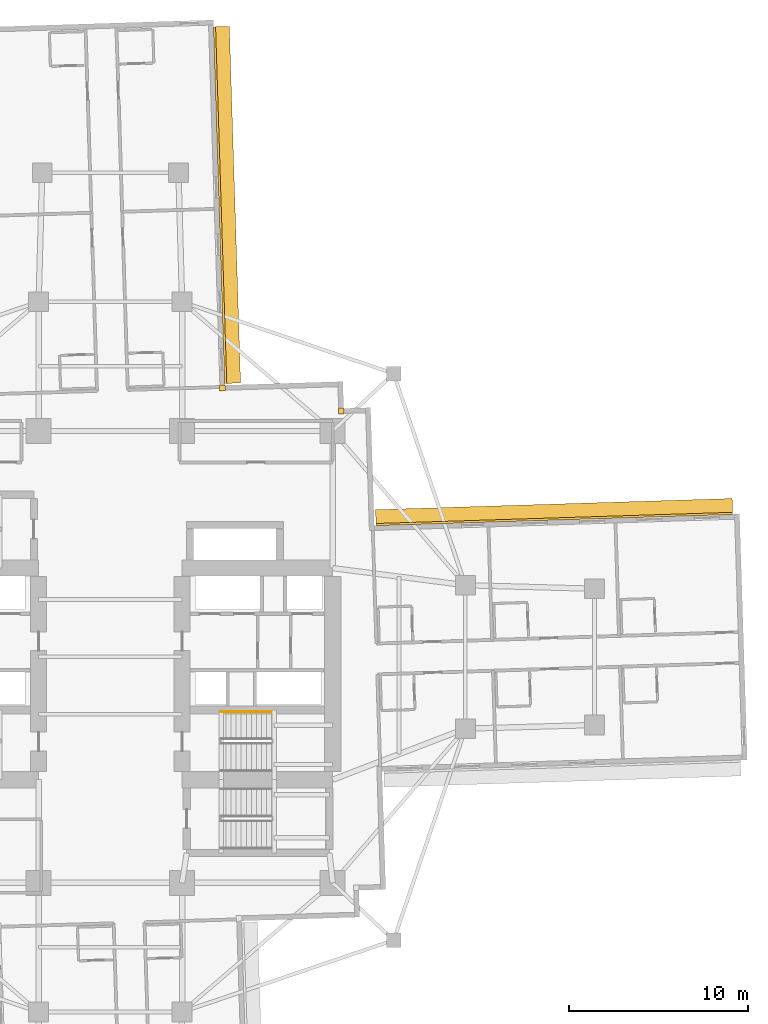
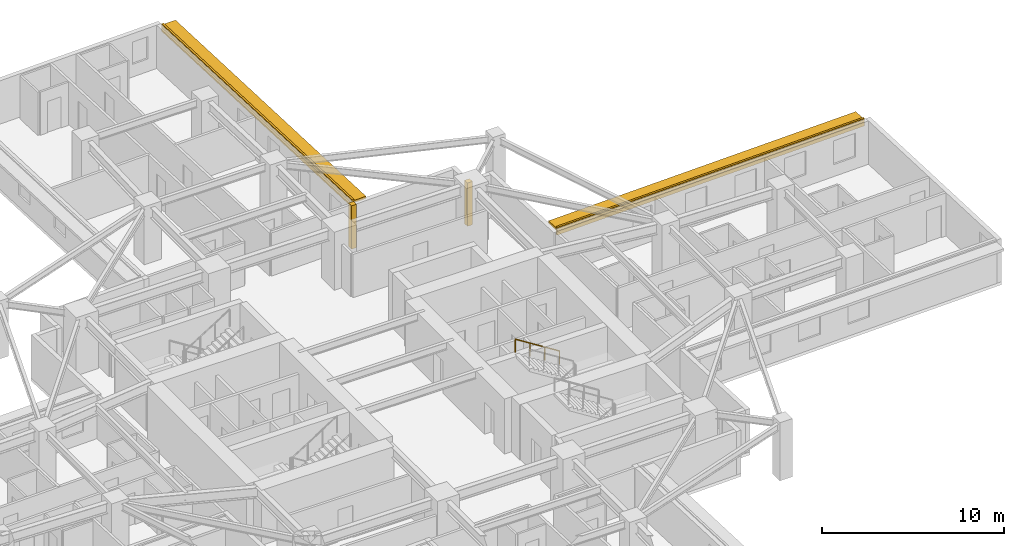
# One storey, part 14 of 14: 4 coverings, 2 shading devices, 1 railing.
"""IFC4 building model written with IfcOpenShell, lengths in metres."""

from ifc_helpers import new_model, si_unit, direction, frame, origin, origin_2d, place, context, subcontext, project, spatial, rectangle, circle, extrude, material, layer, layer_set, type_object, element, save


model = new_model("IFC4")

# Units and contexts
model_context = context("Model", 3, precision=1e-05, world=origin(), true_north=direction((0.0, 1.0)))
body_context = subcontext(model_context, "Body", "Model", "MODEL_VIEW")
ifc_project = project(units=[si_unit("LENGTHUNIT", "METRE"), si_unit("AREAUNIT", "SQUARE_METRE"), si_unit("VOLUMEUNIT", "CUBIC_METRE"), si_unit("PLANEANGLEUNIT", "RADIAN"), si_unit("MASSUNIT", "GRAM", prefix="KILO")], contexts=[model_context])

# Site, building, storey
site_placement = place(None, origin())
site = spatial("IfcSite", under=ifc_project, at=site_placement, CompositionType="ELEMENT")
building_placement = place(site_placement, origin())
building = spatial("IfcBuilding", under=site, at=building_placement, Name="Qingluan Cross Belvedere", CompositionType="ELEMENT")
storey_placement = place(building_placement, frame((0.0, 0.0, 56.10009765625)))
storey = spatial("IfcBuildingStorey", under=building, at=storey_placement, Name="L14", CompositionType="ELEMENT", Elevation=56.10009765625)

# Coverings
ifc_material_1 = material(Name="Precast concrete C45", Category="concrete")
ifc_layer_1 = layer(ifc_material_1, 0.1201171875, Name="ConcreteSpandrelCladding_120")
ifc_layer_set_1 = layer_set([ifc_layer_1], Name="Precast concrete C45")
covering_type = type_object("IfcCoveringType", Name="ConcreteSpandrelCladding_120", PredefinedType="CLADDING", material=ifc_layer_set_1)
for number, where, z_axis, x_axis, name in (
    (1, (24.760498046875, 7.691650390625, 2.449951171875), (0.0, 0.0, 1.0), (-0.999506649124, -0.031407934627, 0.0), "Spandrel cladding L14-EB"),
    (2, (6.12158203125, 25.194580078125, 2.449951171875), (0.0, 0.0, 1.0), (-0.031407934627, 0.999506649124, 0.0), "Spandrel cladding L14-NA"),
):
    element("IfcCovering", number, at=place(storey_placement, frame(where, z_axis=z_axis, x_axis=x_axis)), inside=storey, type_object=covering_type, Name=name, PredefinedType="CLADDING", context=body_context, shape_type="SweptSolid", body=[
        extrude(rectangle(XDim=19.89990234375, YDim=0.1201171875, at=origin_2d()), origin(), (0.0, 0.0, 1.0), 0.52001953125),
    ])
for number, where, z_axis, x_axis, name in (
    (3, (12.875732421875, 13.711181640625, 0.0), (0.0, 0.0, 1.0), (0.999506560366, 0.031410759078, 0.0), "Corner closure L14-NE1"),
    (4, (6.251708984375, 15.00390625, 0.0), (0.0, 0.0, 1.0), (0.999506560366, 0.031410759078, 0.0), "Corner closure L14-NE2"),
):
    element("IfcCovering", number, at=place(storey_placement, frame(where, z_axis=z_axis, x_axis=x_axis)), inside=storey, type_object=covering_type, Name=name, PredefinedType="CLADDING", context=body_context, shape_type="SweptSolid", body=[
        extrude(rectangle(XDim=0.320068359375, YDim=0.320068359375, at=origin_2d()), origin(), (0.0, 0.0, 1.0), 2.909912109375),
    ])

# Shading devices
ifc_material_2 = material(Name="Precast concrete C45", Category="concrete")
ifc_layer_2 = layer(ifc_material_2, 0.159912109375, Name="ConcreteSunshadeBand_900")
ifc_layer_set_2 = layer_set([ifc_layer_2], Name="Precast concrete C45")
shading_device_type = type_object("IfcShadingDeviceType", Name="ConcreteSunshadeBand_900", PredefinedType="USERDEFINED", material=ifc_layer_set_2)
for number, where, z_axis, x_axis, name in (
    (5, (24.74853515625, 8.0712890625, 2.72998046875), (0.0, 0.0, 1.0), (-0.999506649124, -0.031407934627, 0.0), "Concrete SUNSHADE L14-EB"),
    (6, (6.50146484375, 25.206787109375, 2.72998046875), (0.0, 0.0, 1.0), (-0.031407934627, 0.999506649124, 0.0), "Concrete SUNSHADE L14-NA"),
):
    element("IfcShadingDevice", number, at=place(storey_placement, frame(where, z_axis=z_axis, x_axis=x_axis)), inside=storey, type_object=shading_device_type, Name=name, ObjectType="SUNSHADE", PredefinedType="USERDEFINED", context=body_context, shape_type="SweptSolid", body=[
        extrude(rectangle(XDim=19.89990234375, YDim=0.89990234375, at=origin_2d()), origin(), (0.0, 0.0, 1.0), 0.159912109375),
    ])

# Railing
ifc_material_3 = material(Name="Brushed stainless steel tubular handrail", Category="steel")
railing_type = type_object("IfcRailingType", Name="StairPitchHandrail_900", PredefinedType="HANDRAIL", material=ifc_material_3)
railing_placement = place(storey_placement, frame((8.97998046875, -3.050048828125, 2.127197265625)))
element("IfcRailing", 7, at=railing_placement, inside=storey, type_object=railing_type, Name="L14 ST2 stair handrail 2", PredefinedType="HANDRAIL", context=body_context, shape_type="SweptSolid", body=[
    extrude(circle(Radius=0.02392578125, at=origin_2d()), frame((0.0, 0.0, 0.8759765625), z_axis=(-0.844908973607, 0.0, 0.534910110503), x_axis=(0.0, -1.0, 0.0)), (0.0, 0.0, 1.0), 3.31396484375),
    extrude(circle(Radius=0.02099609375, at=origin_2d()), origin(), (0.0, 0.0, 1.0), 0.851806640625),
    extrude(circle(Radius=0.02099609375, at=origin_2d()), frame((-0.933349609375, 0.0, 0.5908203125)), (0.0, 0.0, 1.0), 0.851806640625),
    extrude(circle(Radius=0.02099609375, at=origin_2d()), frame((-1.86669921875, 0.0, 1.181884765625)), (0.0, 0.0, 1.0), 0.851806640625),
    extrude(circle(Radius=0.02099609375, at=origin_2d()), frame((-2.800048828125, 0.0, 1.772705078125)), (0.0, 0.0, 1.0), 0.851806640625),
])

save(model, "model.ifc")
